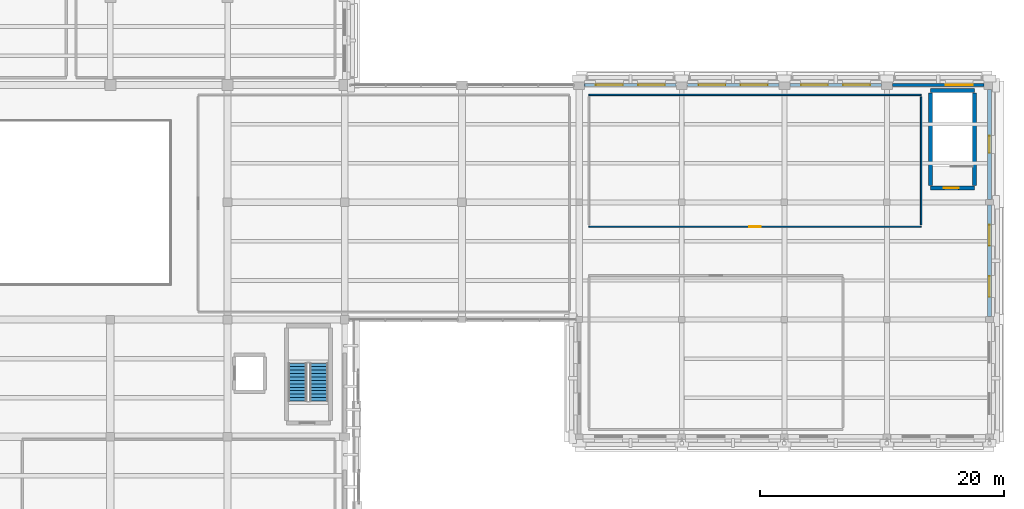
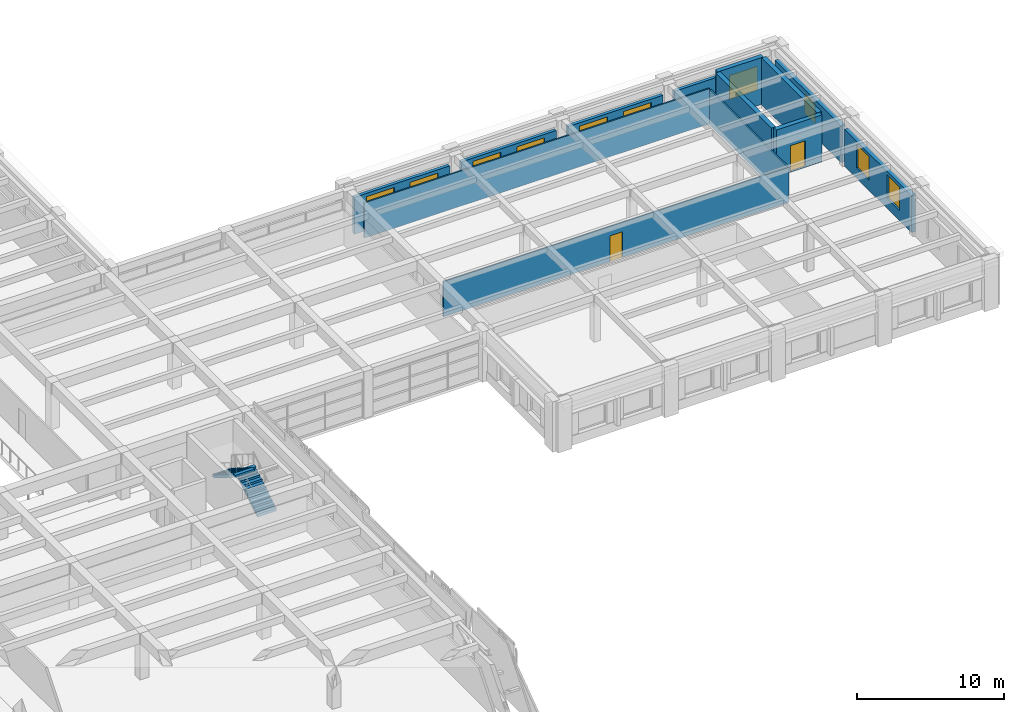
# One storey, part 49 of 62: 13 walls, 10 windows, 2 doors, 2 stair flights, 12 openings, 1 element without a shape of its own.
"""IFC4 building model written with IfcOpenShell, lengths in metres."""

from ifc_helpers import new_model, si_unit, direction, frame, frame_2d, origin, place, context, subcontext, project, spatial, polyline, rectangle, outline, extrude, material, layer, layer_set, type_object, element, fill, aggregate, save


model = new_model("IFC4")

# Units and contexts
model_context = context("Model", 3, precision=1e-05, world=origin(), true_north=direction((0.0, 1.0)))
body_context = subcontext(model_context, "Body", "Model", "MODEL_VIEW")
ifc_project = project(units=[si_unit("LENGTHUNIT", "METRE"), si_unit("AREAUNIT", "SQUARE_METRE"), si_unit("VOLUMEUNIT", "CUBIC_METRE"), si_unit("PLANEANGLEUNIT", "RADIAN"), si_unit("MASSUNIT", "GRAM", prefix="KILO")], contexts=[model_context])

# Site, building, storey
site_placement = place(None, origin())
site = spatial("IfcSite", under=ifc_project, at=site_placement, CompositionType="ELEMENT")
building_placement = place(site_placement, origin())
building = spatial("IfcBuilding", under=site, at=building_placement, Name="Bempovik Park Faculty of Sciences", CompositionType="ELEMENT")
storey_placement = place(building_placement, frame((0.0, 0.0, 9.89990234375)))
storey = spatial("IfcBuildingStorey", under=building, at=storey_placement, Name="L02", CompositionType="ELEMENT", Elevation=9.89990234375)

# Wall, opening, door
ifc_material_1 = material(Name="Gypsum acoustic stud assembly")
ifc_layer_1 = layer(ifc_material_1, 0.1201171875)
ifc_layer_set_1 = layer_set([ifc_layer_1], Name="Gypsum acoustic stud assembly")
wall_type_1 = type_object("IfcWallType", Name="W-17 Wall 120mm", PredefinedType="PARTITIONING", material=ifc_layer_set_1)
wall_1_placement = place(storey_placement, frame((137.60009765625, 75.39990234375, 0.0), z_axis=(0.0, 0.0, 1.0), x_axis=(1.0, 0.0, 0.0)))
wall_1 = element("IfcWall", 1, at=wall_1_placement, inside=storey, type_object=wall_type_1, Name="L02 Mathematics Departmental Staff Offices Partition South", PredefinedType="PARTITIONING", context=body_context, shape_type="SweptSolid", body=[
    extrude(rectangle(XDim=27.199951171875, YDim=0.1201171875, at=frame_2d((13.60009765625, 0.0))), origin(), (0.0, 0.0, 1.0), 2.920166015625),
])
opening_1_placement = place(wall_1_placement, frame((13.125, 0.0, 0.0)))
opening_1 = element("IfcOpeningElement", 2, at=opening_1_placement, cuts=wall_1, Name="Opening D-47", PredefinedType="OPENING", context=body_context, shape_type="SweptSolid", body=[
    extrude(rectangle(XDim=0.949951171875, YDim=2.14990234375, at=frame_2d((0.47509765625, 1.074951171875))), frame((0.0, 0.070068359375, 0.0), z_axis=(0.0, -1.0, 0.0), x_axis=(1.0, 0.0, 0.0)), (0.0, 0.0, 1.0), 0.14013671875),
])
ifc_material_2 = material(Name="West African hardwood finish", Category="wood")
door_type_1 = type_object("IfcDoorType", Name="D-47 Door 950x2150", OperationType="NOTDEFINED", PredefinedType="DOOR", material=ifc_material_2)
door_1_placement = place(opening_1_placement, origin())
door_1 = element("IfcDoor", 3, at=door_1_placement, inside=storey, type_object=door_type_1, Name="L02 Mathematics Departmental Staff Offices Door", OperationType="SINGLE_SWING_LEFT", OverallHeight=2.14990234375, OverallWidth=0.949951171875, PredefinedType="DOOR", context=body_context, shape_type="SweptSolid", body=[
    extrude(rectangle(XDim=0.949951171875, YDim=2.14990234375, at=frame_2d((0.47509765625, 1.074951171875))), frame((0.0, 0.02490234375, 0.0), z_axis=(0.0, -1.0, 0.0), x_axis=(1.0, 0.0, 0.0)), (0.0, 0.0, 1.0), 0.050048828125),
])
fill(opening_1, door_1)

# Walls
wall_2_placement = place(storey_placement, frame((137.60009765625, 86.199951171875, 0.0), z_axis=(0.0, 0.0, 1.0), x_axis=(1.0, 0.0, 0.0)))
element("IfcWall", 4, at=wall_2_placement, inside=storey, type_object=wall_type_1, Name="L02 Mathematics Departmental Staff Offices Partition North", PredefinedType="PARTITIONING", context=body_context, shape_type="SweptSolid", body=[
    extrude(rectangle(XDim=27.199951171875, YDim=0.1201171875, at=frame_2d((13.60009765625, 0.0))), origin(), (0.0, 0.0, 1.0), 2.920166015625),
])
wall_3_placement = place(storey_placement, frame((164.800048828125, 75.56005859375, 0.0), z_axis=(0.0, 0.0, 1.0), x_axis=(0.0, 1.0, 0.0)))
element("IfcWall", 5, at=wall_3_placement, inside=storey, type_object=wall_type_1, Name="L02 Mathematics Departmental Staff Offices Partition East", PredefinedType="PARTITIONING", context=body_context, shape_type="SweptSolid", body=[
    extrude(rectangle(XDim=10.47998046875, YDim=0.1201171875, at=frame_2d((5.239990234375, 0.0))), origin(), (0.0, 0.0, 1.0), 2.920166015625),
])

# Wall, opening, door
ifc_material_3 = material(Name="Concrete C40/50", Category="concrete")
ifc_layer_2 = layer(ifc_material_3, 0.35009765625)
ifc_layer_set_2 = layer_set([ifc_layer_2], Name="Concrete C40/50")
wall_type_2 = type_object("IfcWallType", Name="W-46 Wall 350mm", PredefinedType="SHEAR", material=ifc_layer_set_2)
wall_4_placement = place(storey_placement, frame((165.574951171875, 78.574951171875, 0.0), z_axis=(0.0, 0.0, 1.0), x_axis=(1.0, 0.0, 0.0)))
wall_4 = element("IfcWall", 6, at=wall_4_placement, inside=storey, type_object=wall_type_2, Name="ST-6 L02 Core Shear Wall South", PredefinedType="SHEAR", context=body_context, shape_type="SweptSolid", body=[
    extrude(rectangle(XDim=3.60009765625, YDim=0.35009765625, at=frame_2d((1.800048828125, 0.0))), origin(), (0.0, 0.0, 1.0), 3.900146484375),
])
opening_2_placement = place(wall_4_placement, frame((1.10009765625, 0.0, 0.0)))
opening_2 = element("IfcOpeningElement", 7, at=opening_2_placement, cuts=wall_4, Name="Opening D-49", PredefinedType="OPENING", context=body_context, shape_type="SweptSolid", body=[
    extrude(rectangle(XDim=1.199951171875, YDim=2.199951171875, at=frame_2d((0.60009765625, 1.10009765625))), frame((0.0, 0.18505859375, 0.0), z_axis=(0.0, -1.0, 0.0), x_axis=(1.0, 0.0, 0.0)), (0.0, 0.0, 1.0), 0.3701171875),
])
ifc_material_4 = material(Name="Painted steel S355", Category="steel")
door_type_2 = type_object("IfcDoorType", Name="D-49 Door 1200x2200", OperationType="NOTDEFINED", PredefinedType="DOOR", material=ifc_material_4)
door_2_placement = place(opening_2_placement, origin())
door_2 = element("IfcDoor", 8, at=door_2_placement, inside=storey, type_object=door_type_2, Name="ST-6 L02 Protected Stair Smoke Door", OperationType="SINGLE_SWING_LEFT", OverallHeight=2.199951171875, OverallWidth=1.199951171875, PredefinedType="DOOR", context=body_context, shape_type="SweptSolid", body=[
    extrude(rectangle(XDim=1.199951171875, YDim=2.199951171875, at=frame_2d((0.60009765625, 1.10009765625))), frame((0.0, 0.02490234375, 0.0), z_axis=(0.0, -1.0, 0.0), x_axis=(1.0, 0.0, 0.0)), (0.0, 0.0, 1.0), 0.050048828125),
])
fill(opening_2, door_2)

# Walls
for number, where, z_axis, x_axis, name in (
    (9, (165.574951171875, 78.77490234375, 0.0), (0.0, 0.0, 1.0), (0.0, 1.0, 0.0), "ST-6 L02 Core Shear Wall West"),
    (10, (169.175048828125, 78.77490234375, 0.0), (0.0, 0.0, 1.0), (0.0, 1.0, 0.0), "ST-6 L02 Core Shear Wall East"),
):
    element("IfcWall", number, at=place(storey_placement, frame(where, z_axis=z_axis, x_axis=x_axis)), inside=storey, type_object=wall_type_2, Name=name, PredefinedType="SHEAR", context=body_context, shape_type="SweptSolid", body=[
        extrude(rectangle(XDim=7.5751953125, YDim=0.35009765625, at=frame_2d((3.78759765625, 0.0))), origin(), (0.0, 0.0, 1.0), 3.900146484375),
    ])
wall_5_placement = place(storey_placement, frame((165.574951171875, 86.550048828125, 0.0), z_axis=(0.0, 0.0, 1.0), x_axis=(1.0, 0.0, 0.0)))
element("IfcWall", 11, at=wall_5_placement, inside=storey, type_object=wall_type_2, Name="ST-6 L02 Core Shear Wall North", PredefinedType="SHEAR", context=body_context, shape_type="SweptSolid", body=[
    extrude(rectangle(XDim=3.60009765625, YDim=0.35009765625, at=frame_2d((1.800048828125, 0.0))), origin(), (0.0, 0.0, 1.0), 3.900146484375),
])

# Wall, openings, windows
ifc_material_5 = material(Name="Precast concrete C40/50", Category="concrete")
ifc_layer_3 = layer(ifc_material_5, 0.260009765625)
ifc_layer_set_3 = layer_set([ifc_layer_3], Name="Precast concrete C40/50")
wall_type_3 = type_object("IfcWallType", Name="W-54 Wall 260mm", PredefinedType="SOLIDWALL", material=ifc_layer_set_3)
wall_6_placement = place(storey_placement, frame((137.251953125, 87.0, 0.0), z_axis=(0.0, 0.0, 1.0), x_axis=(1.0, 0.0, 0.0)))
wall_6 = element("IfcWall", 12, at=wall_6_placement, inside=storey, type_object=wall_type_3, Name="L02 Classical Precast Facade Wall EW-L02-7757", PredefinedType="SOLIDWALL", context=body_context, shape_type="SweptSolid", body=[
    extrude(rectangle(XDim=7.49609375, YDim=0.260009765625, at=frame_2d((3.748046875, 0.0))), origin(), (0.0, 0.0, 1.0), 3.080078125),
])
opening_3_placement = place(wall_6_placement, frame((0.923828125, 0.0, 0.800048828125)))
opening_3 = element("IfcOpeningElement", 13, at=opening_3_placement, cuts=wall_6, Name="Opening WN-45", PredefinedType="OPENING", context=body_context, shape_type="SweptSolid", body=[
    extrude(rectangle(XDim=2.199951171875, YDim=2.0, at=frame_2d((1.10009765625, 1.0))), frame((0.0, 0.14013671875, 0.0), z_axis=(0.0, -1.0, 0.0), x_axis=(1.0, 0.0, 0.0)), (0.0, 0.0, 1.0), 0.280029296875),
])
opening_4_placement = place(wall_6_placement, frame((4.3720703125, 0.0, 0.800048828125)))
opening_4 = element("IfcOpeningElement", 14, at=opening_4_placement, cuts=wall_6, Name="Opening WN-45", PredefinedType="OPENING", context=body_context, shape_type="SweptSolid", body=[
    extrude(rectangle(XDim=2.199951171875, YDim=2.0, at=frame_2d((1.10009765625, 1.0))), frame((0.0, 0.14013671875, 0.0), z_axis=(0.0, -1.0, 0.0), x_axis=(1.0, 0.0, 0.0)), (0.0, 0.0, 1.0), 0.280029296875),
])
ifc_material_6 = material(Name="Tempered laminated low-E glass", Category="glass")
window_type_1 = type_object("IfcWindowType", Name="WN-45 Window 2200x2000", PartitioningType="SINGLE_PANEL", PredefinedType="WINDOW", material=ifc_material_6)
window_1_placement = place(opening_3_placement, origin())
window_1 = element("IfcWindow", 15, at=window_1_placement, inside=storey, type_object=window_type_1, Name="L02 Window EW-L02-7757-1", OverallHeight=2.0, OverallWidth=2.199951171875, PartitioningType="SINGLE_PANEL", PredefinedType="WINDOW", context=body_context, shape_type="SweptSolid", body=[
    extrude(rectangle(XDim=2.199951171875, YDim=2.0, at=frame_2d((1.10009765625, 1.0))), frame((0.0, 0.030029296875, 0.0), z_axis=(0.0, -1.0, 0.0), x_axis=(1.0, 0.0, 0.0)), (0.0, 0.0, 1.0), 0.06005859375),
])
fill(opening_3, window_1)
window_2_placement = place(opening_4_placement, origin())
window_2 = element("IfcWindow", 16, at=window_2_placement, inside=storey, type_object=window_type_1, Name="L02 Window EW-L02-7757-2", OverallHeight=2.0, OverallWidth=2.199951171875, PartitioningType="SINGLE_PANEL", PredefinedType="WINDOW", context=body_context, shape_type="SweptSolid", body=[
    extrude(rectangle(XDim=2.199951171875, YDim=2.0, at=frame_2d((1.10009765625, 1.0))), frame((0.0, 0.030029296875, 0.0), z_axis=(0.0, -1.0, 0.0), x_axis=(1.0, 0.0, 0.0)), (0.0, 0.0, 1.0), 0.06005859375),
])
fill(opening_4, window_2)

wall_7_placement = place(storey_placement, frame((145.652099609375, 87.0, 0.0), z_axis=(0.0, 0.0, 1.0), x_axis=(1.0, 0.0, 0.0)))
wall_7 = element("IfcWall", 17, at=wall_7_placement, inside=storey, type_object=wall_type_3, Name="L02 Classical Precast Facade Wall EW-L02-7771", PredefinedType="SOLIDWALL", context=body_context, shape_type="SweptSolid", body=[
    extrude(rectangle(XDim=7.495849609375, YDim=0.260009765625, at=frame_2d((3.748046875, 0.0))), origin(), (0.0, 0.0, 1.0), 3.080078125),
])
opening_5_placement = place(wall_7_placement, frame((0.923828125, 0.0, 0.800048828125)))
opening_5 = element("IfcOpeningElement", 18, at=opening_5_placement, cuts=wall_7, Name="Opening WN-45", PredefinedType="OPENING", context=body_context, shape_type="SweptSolid", body=[
    extrude(rectangle(XDim=2.199951171875, YDim=2.0, at=frame_2d((1.10009765625, 1.0))), frame((0.0, 0.14013671875, 0.0), z_axis=(0.0, -1.0, 0.0), x_axis=(1.0, 0.0, 0.0)), (0.0, 0.0, 1.0), 0.280029296875),
])
opening_6_placement = place(wall_7_placement, frame((4.3720703125, 0.0, 0.800048828125)))
opening_6 = element("IfcOpeningElement", 19, at=opening_6_placement, cuts=wall_7, Name="Opening WN-45", PredefinedType="OPENING", context=body_context, shape_type="SweptSolid", body=[
    extrude(rectangle(XDim=2.199951171875, YDim=2.0, at=frame_2d((1.10009765625, 1.0))), frame((0.0, 0.14013671875, 0.0), z_axis=(0.0, -1.0, 0.0), x_axis=(1.0, 0.0, 0.0)), (0.0, 0.0, 1.0), 0.280029296875),
])
window_3_placement = place(opening_5_placement, origin())
window_3 = element("IfcWindow", 20, at=window_3_placement, inside=storey, type_object=window_type_1, Name="L02 Window EW-L02-7771-1", OverallHeight=2.0, OverallWidth=2.199951171875, PartitioningType="SINGLE_PANEL", PredefinedType="WINDOW", context=body_context, shape_type="SweptSolid", body=[
    extrude(rectangle(XDim=2.199951171875, YDim=2.0, at=frame_2d((1.10009765625, 1.0))), frame((0.0, 0.030029296875, 0.0), z_axis=(0.0, -1.0, 0.0), x_axis=(1.0, 0.0, 0.0)), (0.0, 0.0, 1.0), 0.06005859375),
])
fill(opening_5, window_3)
window_4_placement = place(opening_6_placement, origin())
window_4 = element("IfcWindow", 21, at=window_4_placement, inside=storey, type_object=window_type_1, Name="L02 Window EW-L02-7771-2", OverallHeight=2.0, OverallWidth=2.199951171875, PartitioningType="SINGLE_PANEL", PredefinedType="WINDOW", context=body_context, shape_type="SweptSolid", body=[
    extrude(rectangle(XDim=2.199951171875, YDim=2.0, at=frame_2d((1.10009765625, 1.0))), frame((0.0, 0.030029296875, 0.0), z_axis=(0.0, -1.0, 0.0), x_axis=(1.0, 0.0, 0.0)), (0.0, 0.0, 1.0), 0.06005859375),
])
fill(opening_6, window_4)

wall_8_placement = place(storey_placement, frame((154.052001953125, 87.0, 0.0), z_axis=(0.0, 0.0, 1.0), x_axis=(1.0, 0.0, 0.0)))
wall_8 = element("IfcWall", 22, at=wall_8_placement, inside=storey, type_object=wall_type_3, Name="L02 Classical Precast Facade Wall EW-L02-7784", PredefinedType="SOLIDWALL", context=body_context, shape_type="SweptSolid", body=[
    extrude(rectangle(XDim=7.49609375, YDim=0.260009765625, at=frame_2d((3.748046875, 0.0))), origin(), (0.0, 0.0, 1.0), 3.080078125),
])
opening_7_placement = place(wall_8_placement, frame((0.923828125, 0.0, 0.800048828125)))
opening_7 = element("IfcOpeningElement", 23, at=opening_7_placement, cuts=wall_8, Name="Opening WN-45", PredefinedType="OPENING", context=body_context, shape_type="SweptSolid", body=[
    extrude(rectangle(XDim=2.199951171875, YDim=2.0, at=frame_2d((1.10009765625, 1.0))), frame((0.0, 0.14013671875, 0.0), z_axis=(0.0, -1.0, 0.0), x_axis=(1.0, 0.0, 0.0)), (0.0, 0.0, 1.0), 0.280029296875),
])
opening_8_placement = place(wall_8_placement, frame((4.3720703125, 0.0, 0.800048828125)))
opening_8 = element("IfcOpeningElement", 24, at=opening_8_placement, cuts=wall_8, Name="Opening WN-45", PredefinedType="OPENING", context=body_context, shape_type="SweptSolid", body=[
    extrude(rectangle(XDim=2.199951171875, YDim=2.0, at=frame_2d((1.10009765625, 1.0))), frame((0.0, 0.14013671875, 0.0), z_axis=(0.0, -1.0, 0.0), x_axis=(1.0, 0.0, 0.0)), (0.0, 0.0, 1.0), 0.280029296875),
])
window_5_placement = place(opening_7_placement, origin())
window_5 = element("IfcWindow", 25, at=window_5_placement, inside=storey, type_object=window_type_1, Name="L02 Window EW-L02-7784-1", OverallHeight=2.0, OverallWidth=2.199951171875, PartitioningType="SINGLE_PANEL", PredefinedType="WINDOW", context=body_context, shape_type="SweptSolid", body=[
    extrude(rectangle(XDim=2.199951171875, YDim=2.0, at=frame_2d((1.10009765625, 1.0))), frame((0.0, 0.030029296875, 0.0), z_axis=(0.0, -1.0, 0.0), x_axis=(1.0, 0.0, 0.0)), (0.0, 0.0, 1.0), 0.06005859375),
])
fill(opening_7, window_5)
window_6_placement = place(opening_8_placement, origin())
window_6 = element("IfcWindow", 26, at=window_6_placement, inside=storey, type_object=window_type_1, Name="L02 Window EW-L02-7784-2", OverallHeight=2.0, OverallWidth=2.199951171875, PartitioningType="SINGLE_PANEL", PredefinedType="WINDOW", context=body_context, shape_type="SweptSolid", body=[
    extrude(rectangle(XDim=2.199951171875, YDim=2.0, at=frame_2d((1.10009765625, 1.0))), frame((0.0, 0.030029296875, 0.0), z_axis=(0.0, -1.0, 0.0), x_axis=(1.0, 0.0, 0.0)), (0.0, 0.0, 1.0), 0.06005859375),
])
fill(opening_8, window_6)

# Wall, opening, window
wall_9_placement = place(storey_placement, frame((162.451904296875, 87.0, 0.0), z_axis=(0.0, 0.0, 1.0), x_axis=(1.0, 0.0, 0.0)))
wall_9 = element("IfcWall", 27, at=wall_9_placement, inside=storey, type_object=wall_type_3, Name="L02 Classical Precast Facade Wall EW-L02-7797", PredefinedType="SOLIDWALL", context=body_context, shape_type="SweptSolid", body=[
    extrude(rectangle(XDim=7.49609375, YDim=0.260009765625, at=frame_2d((3.748046875, 0.0))), origin(), (0.0, 0.0, 1.0), 3.080078125),
])
opening_9_placement = place(wall_9_placement, frame((4.3720703125, 0.0, 0.800048828125)))
opening_9 = element("IfcOpeningElement", 28, at=opening_9_placement, cuts=wall_9, Name="Opening WN-45", PredefinedType="OPENING", context=body_context, shape_type="SweptSolid", body=[
    extrude(rectangle(XDim=2.199951171875, YDim=2.0, at=frame_2d((1.10009765625, 1.0))), frame((0.0, 0.14013671875, 0.0), z_axis=(0.0, -1.0, 0.0), x_axis=(1.0, 0.0, 0.0)), (0.0, 0.0, 1.0), 0.280029296875),
])
window_7_placement = place(opening_9_placement, origin())
window_7 = element("IfcWindow", 29, at=window_7_placement, inside=storey, type_object=window_type_1, Name="L02 Window EW-L02-7797-2", OverallHeight=2.0, OverallWidth=2.199951171875, PartitioningType="SINGLE_PANEL", PredefinedType="WINDOW", context=body_context, shape_type="SweptSolid", body=[
    extrude(rectangle(XDim=2.199951171875, YDim=2.0, at=frame_2d((1.10009765625, 1.0))), frame((0.0, 0.030029296875, 0.0), z_axis=(0.0, -1.0, 0.0), x_axis=(1.0, 0.0, 0.0)), (0.0, 0.0, 1.0), 0.06005859375),
])
fill(opening_9, window_7)

# Wall, openings, windows
ifc_layer_4 = layer(ifc_material_5, 0.320068359375)
ifc_layer_set_4 = layer_set([ifc_layer_4], Name="Precast concrete C40/50")
wall_type_4 = type_object("IfcWallType", Name="W-56 Wall 320mm", PredefinedType="SOLIDWALL", material=ifc_layer_set_4)
wall_10_placement = place(storey_placement, frame((170.39990234375, 68.031982421875, 0.0), z_axis=(0.0, 0.0, 1.0), x_axis=(0.0, 1.0, 0.0)))
wall_10 = element("IfcWall", 30, at=wall_10_placement, inside=storey, type_object=wall_type_4, Name="L02 Classical Precast Facade Wall EW-L02-7822", PredefinedType="SOLIDWALL", context=body_context, shape_type="SweptSolid", body=[
    extrude(rectangle(XDim=9.135986328125, YDim=0.320068359375, at=frame_2d((4.56787109375, 0.0))), origin(), (0.0, 0.0, 1.0), 3.080078125),
])
opening_10_placement = place(wall_10_placement, frame((1.61669921875, 0.0, 0.85009765625)))
opening_10 = element("IfcOpeningElement", 31, at=opening_10_placement, cuts=wall_10, Name="Opening WN-42", PredefinedType="OPENING", context=body_context, shape_type="SweptSolid", body=[
    extrude(rectangle(XDim=1.699951171875, YDim=1.949951171875, at=frame_2d((0.85009765625, 0.97509765625))), frame((0.0, 0.169921875, 0.0), z_axis=(0.0, -1.0, 0.0), x_axis=(1.0, 0.0, 0.0)), (0.0, 0.0, 1.0), 0.340087890625),
])
opening_11_placement = place(wall_10_placement, frame((5.8193359375, 0.0, 0.85009765625)))
opening_11 = element("IfcOpeningElement", 32, at=opening_11_placement, cuts=wall_10, Name="Opening WN-42", PredefinedType="OPENING", context=body_context, shape_type="SweptSolid", body=[
    extrude(rectangle(XDim=1.699951171875, YDim=1.949951171875, at=frame_2d((0.85009765625, 0.97509765625))), frame((0.0, 0.169921875, 0.0), z_axis=(0.0, -1.0, 0.0), x_axis=(1.0, 0.0, 0.0)), (0.0, 0.0, 1.0), 0.340087890625),
])
window_type_2 = type_object("IfcWindowType", Name="WN-42 Window 1700x1950", PartitioningType="SINGLE_PANEL", PredefinedType="WINDOW", material=ifc_material_6)
window_8_placement = place(opening_10_placement, origin())
window_8 = element("IfcWindow", 33, at=window_8_placement, inside=storey, type_object=window_type_2, Name="L02 Window EW-L02-7822-1", OverallHeight=1.949951171875, OverallWidth=1.699951171875, PartitioningType="SINGLE_PANEL", PredefinedType="WINDOW", context=body_context, shape_type="SweptSolid", body=[
    extrude(rectangle(XDim=1.699951171875, YDim=1.949951171875, at=frame_2d((0.85009765625, 0.97509765625))), frame((0.0, 0.030029296875, 0.0), z_axis=(0.0, -1.0, 0.0), x_axis=(1.0, 0.0, 0.0)), (0.0, 0.0, 1.0), 0.06005859375),
])
fill(opening_10, window_8)
window_9_placement = place(opening_11_placement, origin())
window_9 = element("IfcWindow", 34, at=window_9_placement, inside=storey, type_object=window_type_2, Name="L02 Window EW-L02-7822-2", OverallHeight=1.949951171875, OverallWidth=1.699951171875, PartitioningType="SINGLE_PANEL", PredefinedType="WINDOW", context=body_context, shape_type="SweptSolid", body=[
    extrude(rectangle(XDim=1.699951171875, YDim=1.949951171875, at=frame_2d((0.85009765625, 0.97509765625))), frame((0.0, 0.030029296875, 0.0), z_axis=(0.0, -1.0, 0.0), x_axis=(1.0, 0.0, 0.0)), (0.0, 0.0, 1.0), 0.06005859375),
])
fill(opening_11, window_9)

# Wall, opening, window
wall_11_placement = place(storey_placement, frame((170.39990234375, 77.632080078125, 0.0), z_axis=(0.0, 0.0, 1.0), x_axis=(0.0, 1.0, 0.0)))
wall_11 = element("IfcWall", 35, at=wall_11_placement, inside=storey, type_object=wall_type_4, Name="L02 Classical Precast Facade Wall EW-L02-7835", PredefinedType="SOLIDWALL", context=body_context, shape_type="SweptSolid", body=[
    extrude(rectangle(XDim=9.015869140625, YDim=0.320068359375, at=frame_2d((4.5078125, 0.0))), origin(), (0.0, 0.0, 1.0), 3.080078125),
])
opening_12_placement = place(wall_11_placement, frame((3.80810546875, 0.0, 0.89990234375)))
opening_12 = element("IfcOpeningElement", 36, at=opening_12_placement, cuts=wall_11, Name="Opening WN-84", PredefinedType="OPENING", context=body_context, shape_type="SweptSolid", body=[
    extrude(rectangle(XDim=1.39990234375, YDim=1.64990234375, at=frame_2d((0.699951171875, 0.824951171875))), frame((0.0, 0.169921875, 0.0), z_axis=(0.0, -1.0, 0.0), x_axis=(1.0, 0.0, 0.0)), (0.0, 0.0, 1.0), 0.340087890625),
])
window_type_3 = type_object("IfcWindowType", Name="WN-84 Window 1400x1650", PartitioningType="SINGLE_PANEL", PredefinedType="WINDOW", material=ifc_material_6)
window_10_placement = place(opening_12_placement, origin())
window_10 = element("IfcWindow", 37, at=window_10_placement, inside=storey, type_object=window_type_3, Name="L02 Stairwell Classical Lancet Window EW-L02-7835", OverallHeight=1.64990234375, OverallWidth=1.39990234375, PartitioningType="SINGLE_PANEL", PredefinedType="WINDOW", context=body_context, shape_type="SweptSolid", body=[
    extrude(rectangle(XDim=1.39990234375, YDim=1.64990234375, at=frame_2d((0.699951171875, 0.824951171875))), frame((0.0, 0.030029296875, 0.0), z_axis=(0.0, -1.0, 0.0), x_axis=(1.0, 0.0, 0.0)), (0.0, 0.0, 1.0), 0.06005859375),
])
fill(opening_12, window_10)

# Stair, stair flights
ifc_material_7 = material(Name="Concrete C35/45", Category="concrete")
stair_type = type_object("IfcStairType", Name="ST-16 Stair W1500 H4200", PredefinedType="HALF_TURN_STAIR", material=ifc_material_7)
stair_placement = place(storey_placement, origin())
stair = element("IfcStair", 38, at=stair_placement, inside=storey, type_object=stair_type, Name="L02 ST-5 Dog-Leg Exit Stair", PredefinedType="HALF_TURN_STAIR")
stair_flight_type = type_object("IfcStairFlightType", Name="FL-13 Flight W1500 H4200", PredefinedType="STRAIGHT", material=ifc_material_7)
stair_flight_1_placement = place(storey_placement, frame((115.5, 61.125, 0.0), z_axis=(0.0, 0.0, 1.0), x_axis=(0.0, 1.0, 0.0)))
stair_flight_1 = element("IfcStairFlight", 39, at=stair_flight_1_placement, type_object=stair_flight_type, Name="ST-16 flight 1", NumberOfRisers=12, NumberOfTreads=11, PredefinedType="STRAIGHT", RiserHeight=0.175, TreadLength=0.28125, context=body_context, shape_type="SweptSolid", body=[
    extrude(outline(polyline([(0.0, 0.0), (0.0, 0.175048828125), (0.28125, 0.175048828125), (0.28125, 0.35009765625), (0.5625, 0.35009765625), (0.5625, 0.52490234375), (0.84375, 0.52490234375), (0.84375, 0.699951171875), (1.125, 0.699951171875), (1.125, 0.875), (1.40625, 0.875), (1.40625, 1.050048828125), (1.6875, 1.050048828125), (1.6875, 1.22509765625), (1.96875, 1.22509765625), (1.96875, 1.39990234375), (2.25, 1.39990234375), (2.25, 1.574951171875), (2.53125, 1.574951171875), (2.53125, 1.75), (2.8125, 1.75), (2.8125, 1.925048828125), (3.09375, 1.925048828125), (3.09375, 2.10009765625), (3.09375, 1.74853515625), (0.28369140625, 0.0), (0.0625, -0.0625), (0.0, -0.0625), (0.0, 0.0)])), frame((0.0, 0.75, 0.0), z_axis=(0.0, -1.0, 0.0), x_axis=(1.0, 0.0, 0.0)), (0.0, 0.0, 1.0), 1.5),
])
stair_flight_2_placement = place(storey_placement, frame((113.75, 64.21875, 2.10009765625), z_axis=(0.0, 0.0, 1.0), x_axis=(0.0, -1.0, 0.0)))
stair_flight_2 = element("IfcStairFlight", 40, at=stair_flight_2_placement, type_object=stair_flight_type, Name="ST-16 flight 2", NumberOfRisers=12, NumberOfTreads=11, PredefinedType="STRAIGHT", RiserHeight=0.175, TreadLength=0.28125, context=body_context, shape_type="SweptSolid", body=[
    extrude(outline(polyline([(0.0, 0.0), (0.0, 0.175048828125), (0.28125, 0.175048828125), (0.28125, 0.35009765625), (0.5625, 0.35009765625), (0.5625, 0.52490234375), (0.84375, 0.52490234375), (0.84375, 0.699951171875), (1.125, 0.699951171875), (1.125, 0.875), (1.40625, 0.875), (1.40625, 1.050048828125), (1.6875, 1.050048828125), (1.6875, 1.22509765625), (1.96875, 1.22509765625), (1.96875, 1.39990234375), (2.25, 1.39990234375), (2.25, 1.574951171875), (2.53125, 1.574951171875), (2.53125, 1.75), (2.8125, 1.75), (2.8125, 1.925048828125), (3.09375, 1.925048828125), (3.09375, 2.10009765625), (3.09375, 1.74853515625), (0.28369140625, 0.0), (0.0625, -0.0625), (0.0, -0.0625), (0.0, 0.0)])), frame((0.0, 0.75, 0.0), z_axis=(0.0, -1.0, 0.0), x_axis=(1.0, 0.0, 0.0)), (0.0, 0.0, 1.0), 1.5),
])
aggregate(stair, [stair_flight_1, stair_flight_2])

save(model, "model.ifc")
